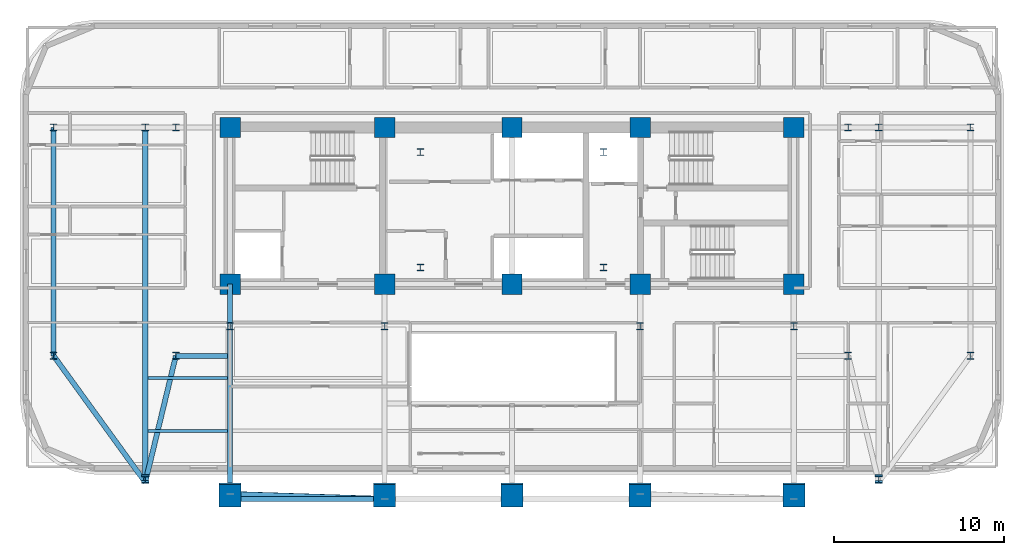
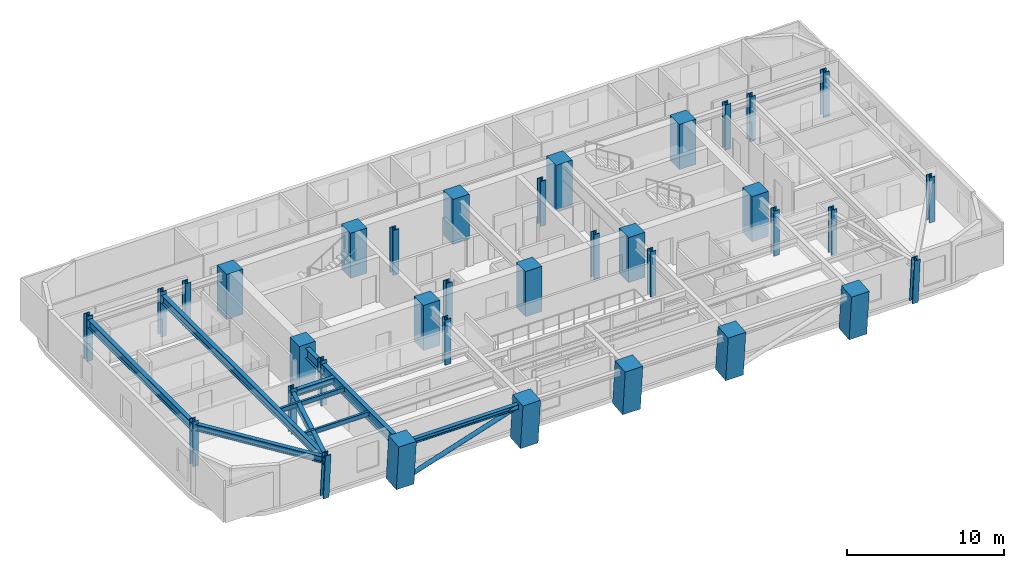
# One storey, part 1 of 16: 35 columns, 10 beams, 1 member.
"""IFC4 building model written with IfcOpenShell, lengths in metres."""

from ifc_helpers import new_model, si_unit, direction, frame, origin, origin_2d, place, context, subcontext, project, spatial, rectangle, hollow_circle, i_section, extrude, material, material_profile, profile_set, type_object, element, save


model = new_model("IFC4")

# Units and contexts
model_context = context("Model", 3, precision=1e-05, world=origin(), true_north=direction((0.0, 1.0)))
body_context = subcontext(model_context, "Body", "Model", "MODEL_VIEW")
ifc_project = project(units=[si_unit("LENGTHUNIT", "METRE"), si_unit("AREAUNIT", "SQUARE_METRE"), si_unit("VOLUMEUNIT", "CUBIC_METRE"), si_unit("PLANEANGLEUNIT", "RADIAN"), si_unit("MASSUNIT", "GRAM", prefix="KILO")], contexts=[model_context])

# Site, building, storey
site_placement = place(None, origin())
site = spatial("IfcSite", under=ifc_project, at=site_placement, CompositionType="ELEMENT")
building_placement = place(site_placement, origin())
building = spatial("IfcBuilding", under=site, at=building_placement, Name="Zarnavel Station Tower", CompositionType="ELEMENT")
storey_placement = place(building_placement, frame((0.0, 0.0, 118.800048828125)))
storey = spatial("IfcBuildingStorey", under=building, at=storey_placement, Name="L32", CompositionType="ELEMENT", Elevation=118.800048828125)

# Columns
ifc_material_1 = material(Name="Steel S460M", Category="steel")
ifc_material_profile_1 = material_profile(ifc_material_1, i_section(OverallWidth=0.41796875, OverallDepth=0.431884765625, WebThickness=0.034912109375, FlangeThickness=0.055908203125, FilletRadius=0.014892578125, at=origin_2d()), Name="HD400x421")
ifc_profile_set_1 = profile_set([ifc_material_profile_1], Name="Steel S460M")
column_type_1 = type_object("IfcColumnType", Name="EC_HD421", PredefinedType="COLUMN", material=ifc_profile_set_1)
for number, where, z_axis, x_axis, name in (
    (1, (1.800048828125, 23.60009765625, 0.0), (0.0, 0.0, 1.0), (1.0, 0.0, 0.0), "L32 Outer Wing South Column 1"),
    (2, (1.800048828125, 37.050048828125, 0.0), (0.0, 0.0, 1.0), (1.0, 0.0, 0.0), "L32 Outer Wing North Column 1"),
):
    element("IfcColumn", number, at=place(storey_placement, frame(where, z_axis=z_axis, x_axis=x_axis)), inside=storey, type_object=column_type_1, Name=name, PredefinedType="COLUMN", context=body_context, shape_type="SweptSolid", body=[
        extrude(i_section(OverallWidth=0.41796875, OverallDepth=0.431884765625, WebThickness=0.034912109375, FlangeThickness=0.055908203125, FilletRadius=0.014892578125, at=origin_2d()), origin(), (0.0, 0.0, 1.0), 3.5),
    ])
for number, where, z_axis, x_axis, name in (
    (3, (7.199951171875, 16.402587890625, 0.0), (0.0, -0.079891690793, 0.996803550226), (1.0, 0.0, 0.0), "L32 Raked Wing Column 2"),
    (4, (50.39990234375, 16.402587890625, 0.0), (0.0, -0.079891690793, 0.996803550226), (1.0, 0.0, 0.0), "L32 Raked Wing Column 3"),
):
    element("IfcColumn", number, at=place(storey_placement, frame(where, z_axis=z_axis, x_axis=x_axis)), inside=storey, type_object=column_type_1, Name=name, PredefinedType="COLUMN", context=body_context, shape_type="SweptSolid", body=[
        extrude(i_section(OverallWidth=0.41796875, OverallDepth=0.431884765625, WebThickness=0.034912109375, FlangeThickness=0.055908203125, FilletRadius=0.014892578125, at=origin_2d()), origin(), (0.0, 0.0, 1.0), 3.51123046875),
    ])
for number, where, z_axis, x_axis, name in (
    (5, (55.800048828125, 23.60009765625, 0.0), (0.0, 0.0, 1.0), (1.0, 0.0, 0.0), "L32 Outer Wing South Column 4"),
    (6, (55.800048828125, 37.050048828125, 0.0), (0.0, 0.0, 1.0), (1.0, 0.0, 0.0), "L32 Outer Wing North Column 4"),
):
    element("IfcColumn", number, at=place(storey_placement, frame(where, z_axis=z_axis, x_axis=x_axis)), inside=storey, type_object=column_type_1, Name=name, PredefinedType="COLUMN", context=body_context, shape_type="SweptSolid", body=[
        extrude(i_section(OverallWidth=0.41796875, OverallDepth=0.431884765625, WebThickness=0.034912109375, FlangeThickness=0.055908203125, FilletRadius=0.014892578125, at=origin_2d()), origin(), (0.0, 0.0, 1.0), 3.5),
    ])
ifc_material_2 = material(Name="Steel S460M", Category="steel")
ifc_material_profile_2 = material_profile(ifc_material_2, i_section(OverallWidth=0.41796875, OverallDepth=0.431884765625, WebThickness=0.034912109375, FlangeThickness=0.055908203125, FilletRadius=0.014892578125, at=origin_2d()), Name="HD400x421")
ifc_profile_set_2 = profile_set([ifc_material_profile_2], Name="Steel S460M")
column_type_2 = type_object("IfcColumnType", Name="IC_HD421", PredefinedType="COLUMN", material=ifc_profile_set_2)
for number, where, z_axis, x_axis, name in (
    (7, (23.39990234375, 28.800048828125, 0.0), (0.0, 0.0, 1.0), (1.0, 0.0, 0.0), "L32 Mast Spine Column 1"),
    (8, (34.199951171875, 28.800048828125, 0.0), (0.0, 0.0, 1.0), (1.0, 0.0, 0.0), "L32 Mast Spine Column 2"),
    (9, (34.199951171875, 35.60009765625, 0.0), (0.0, 0.0, 1.0), (1.0, 0.0, 0.0), "L32 Mast Spine Column 3"),
    (10, (23.39990234375, 35.60009765625, 0.0), (0.0, 0.0, 1.0), (1.0, 0.0, 0.0), "L32 Mast Spine Column 4"),
    (11, (12.199951171875, 25.35009765625, 0.0), (0.0, 0.0, 1.0), (1.0, 0.0, 0.0), "L32 Inner Spine Column 1"),
    (12, (21.300048828125, 25.35009765625, 0.0), (0.0, 0.0, 1.0), (1.0, 0.0, 0.0), "L32 Inner Spine Column 2"),
    (13, (36.35009765625, 25.35009765625, 0.0), (0.0, 0.0, 1.0), (1.0, 0.0, 0.0), "L32 Inner Spine Column 4"),
    (14, (45.39990234375, 25.35009765625, 0.0), (0.0, 0.0, 1.0), (1.0, 0.0, 0.0), "L32 Inner Spine Column 5"),
    (15, (9.0, 23.60009765625, 0.0), (0.0, 0.0, 1.0), (1.0, 0.0, 0.0), "L32 Inner Wing Spine Column 1-1"),
    (16, (9.0, 37.050048828125, 0.0), (0.0, 0.0, 1.0), (1.0, 0.0, 0.0), "L32 Inner Wing Spine Column 1-2"),
    (17, (48.60009765625, 23.60009765625, 0.0), (0.0, 0.0, 1.0), (1.0, 0.0, 0.0), "L32 Inner Wing Spine Column 2-1"),
    (18, (48.60009765625, 37.050048828125, 0.0), (0.0, 0.0, 1.0), (1.0, 0.0, 0.0), "L32 Inner Wing Spine Column 2-2"),
    (19, (7.199951171875, 37.050048828125, 0.0), (0.0, 0.0, 1.0), (1.0, 0.0, 0.0), "L32 Outer Wing North Column 2"),
    (20, (50.39990234375, 37.050048828125, 0.0), (0.0, 0.0, 1.0), (1.0, 0.0, 0.0), "L32 Outer Wing North Column 3"),
):
    element("IfcColumn", number, at=place(storey_placement, frame(where, z_axis=z_axis, x_axis=x_axis)), inside=storey, type_object=column_type_2, Name=name, PredefinedType="COLUMN", context=body_context, shape_type="SweptSolid", body=[
        extrude(i_section(OverallWidth=0.41796875, OverallDepth=0.431884765625, WebThickness=0.034912109375, FlangeThickness=0.055908203125, FilletRadius=0.014892578125, at=origin_2d()), origin(), (0.0, 0.0, 1.0), 3.5),
    ])
ifc_material_3 = material(Name="Concrete C50/60", Category="concrete")
ifc_material_profile_3 = material_profile(ifc_material_3, rectangle(XDim=1.199951171875, YDim=1.199951171875, at=origin_2d()), Name="RC1200x1200")
ifc_profile_set_3 = profile_set([ifc_material_profile_3], Name="Concrete C50/60")
column_type_3 = type_object("IfcColumnType", Name="IC_RC1200", PredefinedType="COLUMN", material=ifc_profile_set_3)
for number, where, z_axis, x_axis, name in (
    (21, (12.199951171875, 27.820068359375, 0.0), (0.0, 0.0, 1.0), (1.0, 0.0, 0.0), "L32 Core Spine Column 1-1"),
    (22, (12.199951171875, 37.050048828125, 0.0), (0.0, 0.0, 1.0), (1.0, 0.0, 0.0), "L32 Core Spine Column 1-2"),
    (23, (21.300048828125, 27.820068359375, 0.0), (0.0, 0.0, 1.0), (1.0, 0.0, 0.0), "L32 Core Spine Column 2-1"),
    (24, (21.300048828125, 37.050048828125, 0.0), (0.0, 0.0, 1.0), (1.0, 0.0, 0.0), "L32 Core Spine Column 2-2"),
    (25, (28.800048828125, 27.820068359375, 0.0), (0.0, 0.0, 1.0), (1.0, 0.0, 0.0), "L32 Core Spine Column 3-1"),
    (26, (28.800048828125, 37.050048828125, 0.0), (0.0, 0.0, 1.0), (1.0, 0.0, 0.0), "L32 Core Spine Column 3-2"),
    (27, (36.35009765625, 27.820068359375, 0.0), (0.0, 0.0, 1.0), (1.0, 0.0, 0.0), "L32 Core Spine Column 4-1"),
    (28, (36.35009765625, 37.050048828125, 0.0), (0.0, 0.0, 1.0), (1.0, 0.0, 0.0), "L32 Core Spine Column 4-2"),
    (29, (45.39990234375, 27.820068359375, 0.0), (0.0, 0.0, 1.0), (1.0, 0.0, 0.0), "L32 Core Spine Column 5-1"),
    (30, (45.39990234375, 37.050048828125, 0.0), (0.0, 0.0, 1.0), (1.0, 0.0, 0.0), "L32 Core Spine Column 5-2"),
):
    element("IfcColumn", number, at=place(storey_placement, frame(where, z_axis=z_axis, x_axis=x_axis)), inside=storey, type_object=column_type_3, Name=name, PredefinedType="COLUMN", context=body_context, shape_type="SweptSolid", body=[
        extrude(rectangle(XDim=1.199951171875, YDim=1.199951171875, at=origin_2d()), origin(), (0.0, 0.0, 1.0), 3.5),
    ])
ifc_material_4 = material(Name="Concrete C60/75", Category="concrete")
ifc_material_profile_4 = material_profile(ifc_material_4, rectangle(XDim=1.300048828125, YDim=1.300048828125, at=origin_2d()), Name="RC1300x1300")
ifc_profile_set_4 = profile_set([ifc_material_profile_4], Name="Concrete C60/75")
column_type_4 = type_object("IfcColumnType", Name="MC_RC1300", PredefinedType="COLUMN", material=ifc_profile_set_4)
for number, where, z_axis, x_axis, name in (
    (31, (12.199951171875, 15.46240234375, 0.0), (0.0, -0.090241349316, 0.995919925935), (1.0, 0.0, 0.0), "L32 Raked South Mega-Column 1"),
    (32, (21.300048828125, 15.46240234375, 0.0), (0.0, -0.090241349316, 0.995919925935), (1.0, 0.0, 0.0), "L32 Raked South Mega-Column 2"),
    (33, (28.800048828125, 15.46240234375, 0.0), (0.0, -0.090241349316, 0.995919925935), (1.0, 0.0, 0.0), "L32 Raked South Mega-Column 3"),
    (34, (36.35009765625, 15.46240234375, 0.0), (0.0, -0.090241349316, 0.995919925935), (1.0, 0.0, 0.0), "L32 Raked South Mega-Column 4"),
    (35, (45.39990234375, 15.46240234375, 0.0), (0.0, -0.090241349316, 0.995919925935), (1.0, 0.0, 0.0), "L32 Raked South Mega-Column 5"),
):
    element("IfcColumn", number, at=place(storey_placement, frame(where, z_axis=z_axis, x_axis=x_axis)), inside=storey, type_object=column_type_4, Name=name, PredefinedType="COLUMN", context=body_context, shape_type="SweptSolid", body=[
        extrude(rectangle(XDim=1.300048828125, YDim=1.300048828125, at=origin_2d()), origin(), (0.0, 0.0, 1.0), 3.514404296875),
    ])

# Member
ifc_material_5 = material(Name="Steel S355J2", Category="steel")
ifc_material_profile_5 = material_profile(ifc_material_5, hollow_circle(Radius=0.161865234375, WallThickness=0.012451171875, at=origin_2d()), Name="CHS323.9x12.5")
ifc_profile_set_5 = profile_set([ifc_material_profile_5], Name="Steel S355J2")
member_type = type_object("IfcMemberType", Name="DB_EXT_CHS324", PredefinedType="BRACE", material=ifc_profile_set_5)
member_placement = place(storey_placement, frame((12.199951171875, 15.46240234375, 0.0), z_axis=(0.941635675338, -0.030390827854, 0.335259082669), x_axis=(0.032257711549, 0.999479584607, 0.0)))
element("IfcMember", 36, at=member_placement, inside=storey, type_object=member_type, Name="L32 Persian Exterior Diagonal Frame Brace 1", PredefinedType="BRACE", context=body_context, shape_type="SweptSolid", body=[
    extrude(hollow_circle(Radius=0.161865234375, WallThickness=0.012451171875, at=origin_2d()), origin(), (0.0, 0.0, 1.0), 9.6640625),
])

# Beams
ifc_material_6 = material(Name="Steel S355J2", Category="steel")
ifc_material_profile_6 = material_profile(ifc_material_6, i_section(OverallWidth=0.300048828125, OverallDepth=0.360107421875, WebThickness=0.012451171875, FlangeThickness=0.0224609375, FilletRadius=0.027099609375, at=origin_2d()), Name="HEB360")
ifc_profile_set_6 = profile_set([ifc_material_profile_6], Name="Steel S355J2")
beam_type_1 = type_object("IfcBeamType", Name="EB_HEB360", PredefinedType="SPANDREL", material=ifc_profile_set_6)
beam_1_placement = place(storey_placement, frame((12.199951171875, 15.168701171875, 3.06005859375), z_axis=(1.0, 0.0, 0.0), x_axis=(0.0, 1.0, 0.0)))
element("IfcBeam", 37, at=beam_1_placement, inside=storey, type_object=beam_type_1, Name="L32 South Raked Spandrel 1", PredefinedType="SPANDREL", context=body_context, shape_type="SweptSolid", body=[
    extrude(i_section(OverallWidth=0.300048828125, OverallDepth=0.360107421875, WebThickness=0.012451171875, FlangeThickness=0.0224609375, FilletRadius=0.027099609375, at=origin_2d()), origin(), (0.0, 0.0, 1.0), 9.10009765625),
])
ifc_material_7 = material(Name="Steel S355J2", Category="steel")
ifc_material_profile_7 = material_profile(ifc_material_7, i_section(OverallWidth=0.300048828125, OverallDepth=0.5, WebThickness=0.014404296875, FlangeThickness=0.028076171875, FilletRadius=0.027099609375, at=origin_2d()), Name="HEB500")
ifc_profile_set_7 = profile_set([ifc_material_profile_7], Name="Steel S355J2")
beam_type_2 = type_object("IfcBeamType", Name="FG_HEB500", PredefinedType="USERDEFINED", material=ifc_profile_set_7)
beam_2_placement = place(storey_placement, frame((1.800048828125, 23.60009765625, 2.989990234375), z_axis=(0.586496015945, -0.809952111721, 0.0), x_axis=(0.809952111721, 0.586496015945, 0.0)))
element("IfcBeam", 38, at=beam_2_placement, inside=storey, type_object=beam_type_2, Name="L32 West Wing South Tie 1", ObjectType="GIRDER", PredefinedType="USERDEFINED", context=body_context, shape_type="SweptSolid", body=[
    extrude(i_section(OverallWidth=0.300048828125, OverallDepth=0.5, WebThickness=0.014404296875, FlangeThickness=0.028076171875, FilletRadius=0.027099609375, at=origin_2d()), origin(), (0.0, 0.0, 1.0), 9.20703125),
])
beam_3_placement = place(storey_placement, frame((7.199951171875, 16.142822265625, 2.989990234375), z_axis=(0.234642607065, 0.97208170796, 0.0), x_axis=(-0.97208170796, 0.234642607065, 0.0)))
element("IfcBeam", 39, at=beam_3_placement, inside=storey, type_object=beam_type_2, Name="L32 West Wing South Tie 2", ObjectType="GIRDER", PredefinedType="USERDEFINED", context=body_context, shape_type="SweptSolid", body=[
    extrude(i_section(OverallWidth=0.300048828125, OverallDepth=0.5, WebThickness=0.014404296875, FlangeThickness=0.028076171875, FilletRadius=0.027099609375, at=origin_2d()), origin(), (0.0, 0.0, 1.0), 7.67138671875),
])
beam_4_placement = place(storey_placement, frame((9.0, 23.60009765625, 2.989990234375), z_axis=(1.0, 0.0, 0.0), x_axis=(0.0, 1.0, 0.0)))
element("IfcBeam", 40, at=beam_4_placement, inside=storey, type_object=beam_type_2, Name="L32 West Wing South Tie 3", ObjectType="GIRDER", PredefinedType="USERDEFINED", context=body_context, shape_type="SweptSolid", body=[
    extrude(i_section(OverallWidth=0.300048828125, OverallDepth=0.5, WebThickness=0.014404296875, FlangeThickness=0.028076171875, FilletRadius=0.027099609375, at=origin_2d()), origin(), (0.0, 0.0, 1.0), 3.054931640625),
])
ifc_material_8 = material(Name="Steel S355J2", Category="steel")
ifc_material_profile_8 = material_profile(ifc_material_8, i_section(OverallWidth=0.300048828125, OverallDepth=0.64990234375, WebThickness=0.01611328125, FlangeThickness=0.031005859375, FilletRadius=0.027099609375, at=origin_2d()), Name="HEB650")
ifc_profile_set_8 = profile_set([ifc_material_profile_8], Name="Steel S355J2")
beam_type_3 = type_object("IfcBeamType", Name="FG_HEB650", PredefinedType="USERDEFINED", material=ifc_profile_set_8)
beam_5_placement = place(storey_placement, frame((1.800048828125, 23.60009765625, 2.9150390625), z_axis=(0.0, 1.0, 0.0), x_axis=(-1.0, 0.0, 0.0)))
element("IfcBeam", 41, at=beam_5_placement, inside=storey, type_object=beam_type_3, Name="L32 Wing NS Girder 1", ObjectType="GIRDER", PredefinedType="USERDEFINED", context=body_context, shape_type="SweptSolid", body=[
    extrude(i_section(OverallWidth=0.300048828125, OverallDepth=0.64990234375, WebThickness=0.01611328125, FlangeThickness=0.031005859375, FilletRadius=0.027099609375, at=origin_2d()), origin(), (0.0, 0.0, 1.0), 13.449951171875),
])
beam_6_placement = place(storey_placement, frame((7.199951171875, 16.142822265625, 2.9150390625), z_axis=(0.0, 1.0, 0.0), x_axis=(-1.0, 0.0, 0.0)))
element("IfcBeam", 42, at=beam_6_placement, inside=storey, type_object=beam_type_3, Name="L32 Wing NS Girder 2", ObjectType="GIRDER", PredefinedType="USERDEFINED", context=body_context, shape_type="SweptSolid", body=[
    extrude(i_section(OverallWidth=0.300048828125, OverallDepth=0.64990234375, WebThickness=0.01611328125, FlangeThickness=0.031005859375, FilletRadius=0.027099609375, at=origin_2d()), origin(), (0.0, 0.0, 1.0), 20.9072265625),
])
ifc_material_9 = material(Name="Steel S460M", Category="steel")
ifc_material_profile_9 = material_profile(ifc_material_9, i_section(OverallWidth=0.302978515625, OverallDepth=0.81396484375, WebThickness=0.02099609375, FlangeThickness=0.0400390625, FilletRadius=0.030029296875, at=origin_2d()), Name="HEM800")
ifc_profile_set_9 = profile_set([ifc_material_profile_9], Name="Steel S460M")
beam_type_4 = type_object("IfcBeamType", Name="FG_HEM800", PredefinedType="USERDEFINED", material=ifc_profile_set_9)
beam_7_placement = place(storey_placement, frame((12.199951171875, 15.168701171875, 2.8330078125), z_axis=(0.0, 1.0, 0.0), x_axis=(-1.0, 0.0, 0.0)))
element("IfcBeam", 43, at=beam_7_placement, inside=storey, type_object=beam_type_4, Name="L32 South-Zone NS Girder 1", ObjectType="GIRDER", PredefinedType="USERDEFINED", context=body_context, shape_type="SweptSolid", body=[
    extrude(i_section(OverallWidth=0.302978515625, OverallDepth=0.81396484375, WebThickness=0.02099609375, FlangeThickness=0.0400390625, FilletRadius=0.030029296875, at=origin_2d()), origin(), (0.0, 0.0, 1.0), 10.181396484375),
])
beam_8_placement = place(storey_placement, frame((12.199951171875, 25.35009765625, 2.8330078125), z_axis=(0.0, 1.0, 0.0), x_axis=(-1.0, 0.0, 0.0)))
element("IfcBeam", 44, at=beam_8_placement, inside=storey, type_object=beam_type_4, Name="L32 Inner-Zone NS Girder 1", ObjectType="GIRDER", PredefinedType="USERDEFINED", context=body_context, shape_type="SweptSolid", body=[
    extrude(i_section(OverallWidth=0.302978515625, OverallDepth=0.81396484375, WebThickness=0.02099609375, FlangeThickness=0.0400390625, FilletRadius=0.030029296875, at=origin_2d()), origin(), (0.0, 0.0, 1.0), 2.469970703125),
])
ifc_material_10 = material(Name="Steel S355J2", Category="steel")
ifc_material_profile_10 = material_profile(ifc_material_10, i_section(OverallWidth=0.169921875, OverallDepth=0.360107421875, WebThickness=0.008056640625, FlangeThickness=0.0126953125, FilletRadius=0.01806640625, at=origin_2d()), Name="IPE360")
ifc_profile_set_10 = profile_set([ifc_material_profile_10], Name="Steel S355J2")
beam_type_5 = type_object("IfcBeamType", Name="FJ_IPE360", PredefinedType="JOIST", material=ifc_profile_set_10)
for number, where, z_axis, x_axis, name in (
    (45, (7.344970703125, 19.17919921875, 3.06005859375), (1.0, 0.0, 0.0), (0.0, 1.0, 0.0), "L32 West Wing Joist 1"),
    (46, (7.344970703125, 22.28955078125, 3.06005859375), (1.0, 0.0, 0.0), (0.0, 1.0, 0.0), "L32 West Wing Joist 2"),
):
    element("IfcBeam", number, at=place(storey_placement, frame(where, z_axis=z_axis, x_axis=x_axis)), inside=storey, type_object=beam_type_5, Name=name, PredefinedType="JOIST", context=body_context, shape_type="SweptSolid", body=[
        extrude(i_section(OverallWidth=0.169921875, OverallDepth=0.360107421875, WebThickness=0.008056640625, FlangeThickness=0.0126953125, FilletRadius=0.01806640625, at=origin_2d()), origin(), (0.0, 0.0, 1.0), 4.7099609375),
    ])

save(model, "model.ifc")
